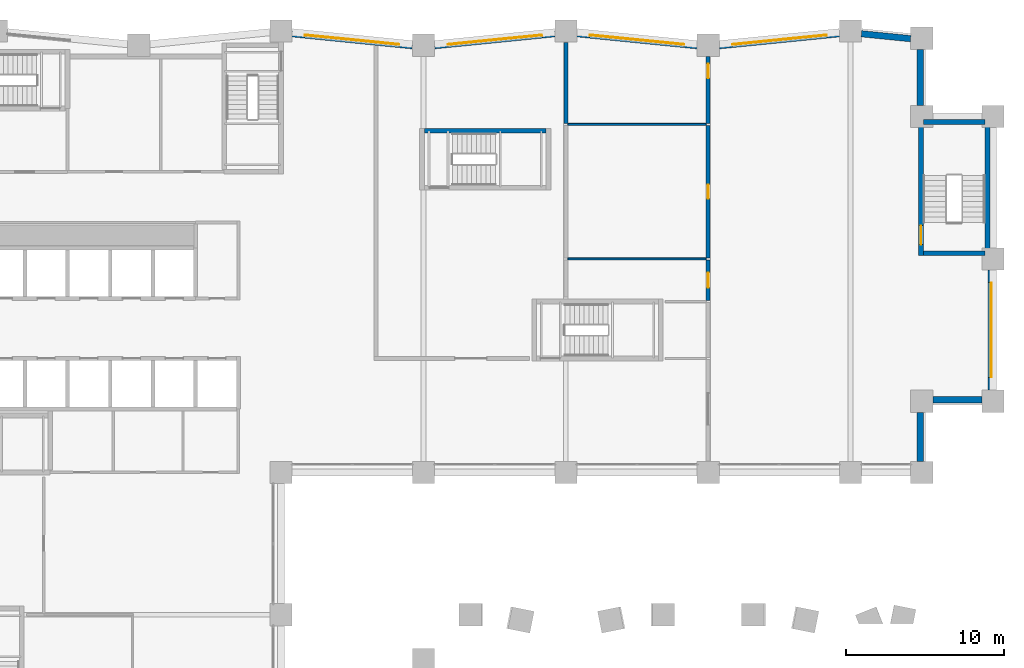
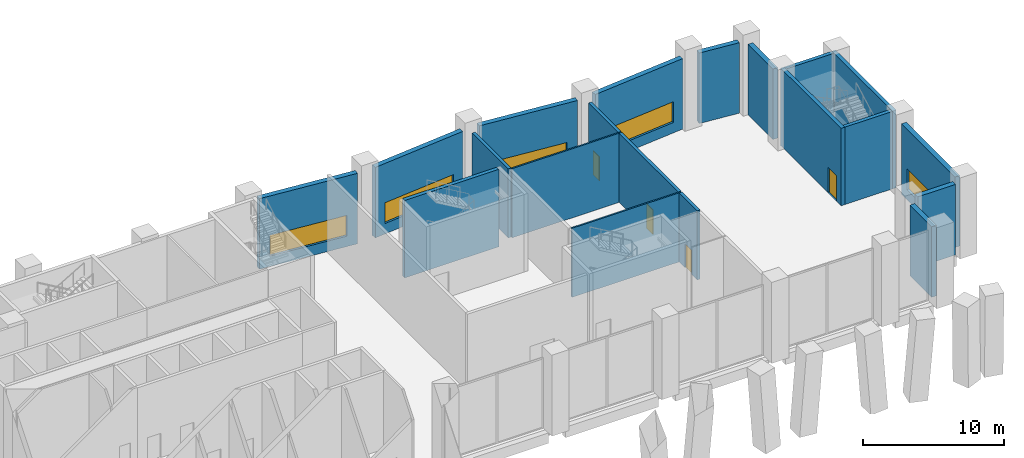
# One storey, part 13 of 18: 20 walls, 5 windows, 4 doors, 9 openings.
"""IFC4 building model written with IfcOpenShell, lengths in metres."""

from ifc_helpers import new_model, si_unit, direction, frame, frame_2d, origin, place, context, subcontext, project, spatial, rectangle, extrude, material, layer, layer_set, type_object, element, fill, save


model = new_model("IFC4")

# Units and contexts
model_context = context("Model", 3, precision=1e-05, world=origin(), true_north=direction((0.0, 1.0)))
body_context = subcontext(model_context, "Body", "Model", "MODEL_VIEW")
ifc_project = project(units=[si_unit("LENGTHUNIT", "METRE"), si_unit("AREAUNIT", "SQUARE_METRE"), si_unit("VOLUMEUNIT", "CUBIC_METRE"), si_unit("PLANEANGLEUNIT", "RADIAN"), si_unit("MASSUNIT", "GRAM", prefix="KILO")], contexts=[model_context])

# Site, building, storey
site_placement = place(None, origin())
site = spatial("IfcSite", under=ifc_project, at=site_placement, CompositionType="ELEMENT")
building_placement = place(site_placement, origin())
building = spatial("IfcBuilding", under=site, at=building_placement, Name="Brondeck Convention Tower", CompositionType="ELEMENT")
storey_placement = place(building_placement, frame((0.0, 0.0, 7.5)))
storey = spatial("IfcBuildingStorey", under=building, at=storey_placement, Name="L01", CompositionType="ELEMENT", Elevation=7.5)

# Walls
ifc_material_1 = material(Name="Limestone", Category="masonry")
ifc_layer_1 = layer(ifc_material_1, 0.10009765625, Name="Limestone facing")
ifc_material_2 = material(Name="Mineral wool")
ifc_layer_2 = layer(ifc_material_2, 0.159912109375, Name="Insulation")
ifc_material_3 = material(Name="Concrete C35/45", Category="concrete")
ifc_layer_3 = layer(ifc_material_3, 0.139892578125, Name="Backing")
ifc_layer_set_1 = layer_set([ifc_layer_1, ifc_layer_2, ifc_layer_3], Name="External wall, limestone cladding")
wall_type_1 = type_object("IfcWallType", Name="External wall, limestone cladding", PredefinedType="SOLIDWALL", material=ifc_layer_set_1)
for number, where, z_axis, x_axis, name in (
    (1, (67.39990234375, 39.800048828125, 0.0), (0.0, 0.0, 1.0), (0.0, -1.0, 0.0), "ENV-EW-L01-BASE-NC-SEA-01"),
    (2, (71.300048828125, 40.60009765625, 0.0), (0.0, 0.0, 1.0), (-1.0, 0.0, 0.0), "ENV-EW-L01-BASE-NC-SEA-02"),
):
    element("IfcWall", number, at=place(storey_placement, frame(where, z_axis=z_axis, x_axis=x_axis)), inside=storey, type_object=wall_type_1, Name=name, PredefinedType="SOLIDWALL", context=body_context, shape_type="SweptSolid", body=[
        extrude(rectangle(XDim=3.10009765625, YDim=0.39990234375, at=frame_2d((1.550048828125, 0.0))), origin(), (0.0, 0.0, 1.0), 6.10009765625),
    ])

# Wall, opening, window
wall_1_placement = place(storey_placement, frame((71.89990234375, 48.800048828125, 0.0), z_axis=(0.0, 0.0, 1.0), x_axis=(0.0, -1.0, 0.0)))
wall_1 = element("IfcWall", 3, at=wall_1_placement, inside=storey, type_object=wall_type_1, Name="ENV-EW-L01-BASE-A-E-02", PredefinedType="SOLIDWALL", context=body_context, shape_type="SweptSolid", body=[
    extrude(rectangle(XDim=7.60009765625, YDim=0.39990234375, at=frame_2d((3.800048828125, 0.0))), origin(), (0.0, 0.0, 1.0), 6.10009765625),
])
opening_1_placement = place(wall_1_placement, frame((0.800048828125, 0.0, 0.89990234375)))
opening_1 = element("IfcOpeningElement", 4, at=opening_1_placement, cuts=wall_1, Name="Opening W4", PredefinedType="OPENING", context=body_context, shape_type="SweptSolid", body=[
    extrude(rectangle(XDim=6.0, YDim=1.800048828125, at=frame_2d((3.0, 0.89990234375))), frame((0.0, 0.2099609375, 0.0), z_axis=(0.0, -1.0, 0.0), x_axis=(1.0, 0.0, 0.0)), (0.0, 0.0, 1.0), 0.419921875),
])
ifc_material_4 = material(Name="Bronze tinted double glazing", Category="glass")
window_type = type_object("IfcWindowType", Name="Podium ribbon window, bronze tinted", PartitioningType="SINGLE_PANEL", PredefinedType="WINDOW", material=ifc_material_4)
window_1_placement = place(opening_1_placement, origin())
window_1 = element("IfcWindow", 5, at=window_1_placement, inside=storey, type_object=window_type, Name="ENV-WN-L01-BASE-A-E-02", OverallHeight=1.800048828125, OverallWidth=6.0, PartitioningType="SINGLE_PANEL", PredefinedType="WINDOW", context=body_context, shape_type="SweptSolid", body=[
    extrude(rectangle(XDim=6.0, YDim=1.800048828125, at=frame_2d((3.0, 0.89990234375))), frame((0.0, 0.030029296875, 0.0), z_axis=(0.0, -1.0, 0.0), x_axis=(1.0, 0.0, 0.0)), (0.0, 0.0, 1.0), 0.06005859375),
])
fill(opening_1, window_1)

# Walls
wall_2_placement = place(storey_placement, frame((67.39990234375, 62.75, 0.0), z_axis=(0.0, 0.0, 1.0), x_axis=(0.0, -1.0, 0.0)))
element("IfcWall", 6, at=wall_2_placement, inside=storey, type_object=wall_type_1, Name="ENV-EW-L01-BASE-NC-NEA-02", PredefinedType="SOLIDWALL", context=body_context, shape_type="SweptSolid", body=[
    extrude(rectangle(XDim=3.550048828125, YDim=0.39990234375, at=frame_2d((1.77490234375, 0.0))), origin(), (0.0, 0.0, 1.0), 6.10009765625),
])
wall_3_placement = place(storey_placement, frame((63.6865234375, 63.730712890625, 0.0), z_axis=(0.0, 0.0, 1.0), x_axis=(0.995041834057, -0.099457269599, 0.0)))
element("IfcWall", 7, at=wall_3_placement, inside=storey, type_object=wall_type_1, Name="ENV-EW-L01-BASE-A-N-14", PredefinedType="SOLIDWALL", context=body_context, shape_type="SweptSolid", body=[
    extrude(rectangle(XDim=3.122314453125, YDim=0.39990234375, at=frame_2d((1.56103515625, 0.0))), origin(), (0.0, 0.0, 1.0), 6.10009765625),
])

# Wall, opening, window
wall_4_placement = place(storey_placement, frame((54.70654296875, 62.97021484375, 0.0), z_axis=(0.0, 0.0, 1.0), x_axis=(0.995039719416, 0.099478423711, 0.0)))
wall_4 = element("IfcWall", 8, at=wall_4_placement, inside=storey, type_object=wall_type_1, Name="ENV-EW-L01-BASE-A-N-13", PredefinedType="SOLIDWALL", context=body_context, shape_type="SweptSolid", body=[
    extrude(rectangle(XDim=7.644775390625, YDim=0.39990234375, at=frame_2d((3.822265625, 0.0))), origin(), (0.0, 0.0, 1.0), 6.10009765625),
])
opening_2_placement = place(wall_4_placement, frame((0.822509765625, 0.0, 0.89990234375)))
opening_2 = element("IfcOpeningElement", 9, at=opening_2_placement, cuts=wall_4, Name="Opening W4", PredefinedType="OPENING", context=body_context, shape_type="SweptSolid", body=[
    extrude(rectangle(XDim=6.0, YDim=1.800048828125, at=frame_2d((3.0, 0.89990234375))), frame((0.0, 0.2099609375, 0.0), z_axis=(0.0, -1.0, 0.0), x_axis=(1.0, 0.0, 0.0)), (0.0, 0.0, 1.0), 0.419921875),
])
window_2_placement = place(opening_2_placement, origin())
window_2 = element("IfcWindow", 10, at=window_2_placement, inside=storey, type_object=window_type, Name="ENV-WN-L01-BASE-A-N-13", OverallHeight=1.800048828125, OverallWidth=6.0, PartitioningType="SINGLE_PANEL", PredefinedType="WINDOW", context=body_context, shape_type="SweptSolid", body=[
    extrude(rectangle(XDim=6.0, YDim=1.800048828125, at=frame_2d((3.0, 0.89990234375))), frame((0.0, 0.030029296875, 0.0), z_axis=(0.0, -1.0, 0.0), x_axis=(1.0, 0.0, 0.0)), (0.0, 0.0, 1.0), 0.06005859375),
])
fill(opening_2, window_2)

wall_5_placement = place(storey_placement, frame((45.6865234375, 63.730712890625, 0.0), z_axis=(0.0, 0.0, 1.0), x_axis=(0.995039719416, -0.099478423711, 0.0)))
wall_5 = element("IfcWall", 11, at=wall_5_placement, inside=storey, type_object=wall_type_1, Name="ENV-EW-L01-BASE-A-N-11", PredefinedType="SOLIDWALL", context=body_context, shape_type="SweptSolid", body=[
    extrude(rectangle(XDim=7.644775390625, YDim=0.39990234375, at=frame_2d((3.822265625, 0.0))), origin(), (0.0, 0.0, 1.0), 6.10009765625),
])
opening_3_placement = place(wall_5_placement, frame((0.822509765625, 0.0, 0.89990234375)))
opening_3 = element("IfcOpeningElement", 12, at=opening_3_placement, cuts=wall_5, Name="Opening W4", PredefinedType="OPENING", context=body_context, shape_type="SweptSolid", body=[
    extrude(rectangle(XDim=6.0, YDim=1.800048828125, at=frame_2d((3.0, 0.89990234375))), frame((0.0, 0.2099609375, 0.0), z_axis=(0.0, -1.0, 0.0), x_axis=(1.0, 0.0, 0.0)), (0.0, 0.0, 1.0), 0.419921875),
])
window_3_placement = place(opening_3_placement, origin())
window_3 = element("IfcWindow", 13, at=window_3_placement, inside=storey, type_object=window_type, Name="ENV-WN-L01-BASE-A-N-11", OverallHeight=1.800048828125, OverallWidth=6.0, PartitioningType="SINGLE_PANEL", PredefinedType="WINDOW", context=body_context, shape_type="SweptSolid", body=[
    extrude(rectangle(XDim=6.0, YDim=1.800048828125, at=frame_2d((3.0, 0.89990234375))), frame((0.0, 0.030029296875, 0.0), z_axis=(0.0, -1.0, 0.0), x_axis=(1.0, 0.0, 0.0)), (0.0, 0.0, 1.0), 0.06005859375),
])
fill(opening_3, window_3)

wall_6_placement = place(storey_placement, frame((36.70654296875, 62.97021484375, 0.0), z_axis=(0.0, 0.0, 1.0), x_axis=(0.995039719416, 0.099478423711, 0.0)))
wall_6 = element("IfcWall", 14, at=wall_6_placement, inside=storey, type_object=wall_type_1, Name="ENV-EW-L01-BASE-A-N-09", PredefinedType="SOLIDWALL", context=body_context, shape_type="SweptSolid", body=[
    extrude(rectangle(XDim=7.644775390625, YDim=0.39990234375, at=frame_2d((3.822265625, 0.0))), origin(), (0.0, 0.0, 1.0), 6.10009765625),
])
opening_4_placement = place(wall_6_placement, frame((0.822509765625, 0.0, 0.89990234375)))
opening_4 = element("IfcOpeningElement", 15, at=opening_4_placement, cuts=wall_6, Name="Opening W4", PredefinedType="OPENING", context=body_context, shape_type="SweptSolid", body=[
    extrude(rectangle(XDim=6.0, YDim=1.800048828125, at=frame_2d((3.0, 0.89990234375))), frame((0.0, 0.2099609375, 0.0), z_axis=(0.0, -1.0, 0.0), x_axis=(1.0, 0.0, 0.0)), (0.0, 0.0, 1.0), 0.419921875),
])
window_4_placement = place(opening_4_placement, origin())
window_4 = element("IfcWindow", 16, at=window_4_placement, inside=storey, type_object=window_type, Name="ENV-WN-L01-BASE-A-N-09", OverallHeight=1.800048828125, OverallWidth=6.0, PartitioningType="SINGLE_PANEL", PredefinedType="WINDOW", context=body_context, shape_type="SweptSolid", body=[
    extrude(rectangle(XDim=6.0, YDim=1.800048828125, at=frame_2d((3.0, 0.89990234375))), frame((0.0, 0.030029296875, 0.0), z_axis=(0.0, -1.0, 0.0), x_axis=(1.0, 0.0, 0.0)), (0.0, 0.0, 1.0), 0.06005859375),
])
fill(opening_4, window_4)

wall_7_placement = place(storey_placement, frame((27.6865234375, 63.730712890625, 0.0), z_axis=(0.0, 0.0, 1.0), x_axis=(0.995039719416, -0.099478423711, 0.0)))
wall_7 = element("IfcWall", 17, at=wall_7_placement, inside=storey, type_object=wall_type_1, Name="ENV-EW-L01-BASE-A-N-07", PredefinedType="SOLIDWALL", context=body_context, shape_type="SweptSolid", body=[
    extrude(rectangle(XDim=7.644775390625, YDim=0.39990234375, at=frame_2d((3.822265625, 0.0))), origin(), (0.0, 0.0, 1.0), 6.10009765625),
])
opening_5_placement = place(wall_7_placement, frame((0.822509765625, 0.0, 0.89990234375)))
opening_5 = element("IfcOpeningElement", 18, at=opening_5_placement, cuts=wall_7, Name="Opening W4", PredefinedType="OPENING", context=body_context, shape_type="SweptSolid", body=[
    extrude(rectangle(XDim=6.0, YDim=1.800048828125, at=frame_2d((3.0, 0.89990234375))), frame((0.0, 0.2099609375, 0.0), z_axis=(0.0, -1.0, 0.0), x_axis=(1.0, 0.0, 0.0)), (0.0, 0.0, 1.0), 0.419921875),
])
window_5_placement = place(opening_5_placement, origin())
window_5 = element("IfcWindow", 19, at=window_5_placement, inside=storey, type_object=window_type, Name="ENV-WN-L01-BASE-A-N-07", OverallHeight=1.800048828125, OverallWidth=6.0, PartitioningType="SINGLE_PANEL", PredefinedType="WINDOW", context=body_context, shape_type="SweptSolid", body=[
    extrude(rectangle(XDim=6.0, YDim=1.800048828125, at=frame_2d((3.0, 0.89990234375))), frame((0.0, 0.030029296875, 0.0), z_axis=(0.0, -1.0, 0.0), x_axis=(1.0, 0.0, 0.0)), (0.0, 0.0, 1.0), 0.06005859375),
])
fill(opening_5, window_5)

# Wall, opening, door
ifc_material_5 = material(Name="Reinforced masonry fire wall", Category="masonry")
ifc_layer_4 = layer(ifc_material_5, 0.25)
ifc_layer_set_2 = layer_set([ifc_layer_4], Name="Fire wall 250")
wall_type_2 = type_object("IfcWallType", Name="Fire wall 250", PredefinedType="PARTITIONING", material=ifc_layer_set_2)
wall_8_placement = place(storey_placement, frame((54.0, 46.862548828125, 0.0), z_axis=(0.0, 0.0, 1.0), x_axis=(0.0, 1.0, 0.0)))
wall_8 = element("IfcWall", 20, at=wall_8_placement, inside=storey, type_object=wall_type_2, Name="FLR-L01-W015", PredefinedType="PARTITIONING", context=body_context, shape_type="SweptSolid", body=[
    extrude(rectangle(XDim=2.574951171875, YDim=0.25, at=frame_2d((1.28759765625, 0.0))), origin(), (0.0, 0.0, 1.0), 5.97998046875),
])
opening_6_placement = place(wall_8_placement, frame((0.8125, 0.0, 0.0)))
opening_6 = element("IfcOpeningElement", 21, at=opening_6_placement, cuts=wall_8, Name="Opening P-L01-001", PredefinedType="OPENING", context=body_context, shape_type="SweptSolid", body=[
    extrude(rectangle(XDim=0.949951171875, YDim=2.10009765625, at=frame_2d((0.47509765625, 1.050048828125))), frame((0.0, 0.135009765625, 0.0), z_axis=(0.0, -1.0, 0.0), x_axis=(1.0, 0.0, 0.0)), (0.0, 0.0, 1.0), 0.27001953125),
])
ifc_material_6 = material(Name="Solid timber door leaf", Category="wood")
door_type_1 = type_object("IfcDoorType", Name="Accessible door 950", OperationType="NOTDEFINED", PredefinedType="DOOR", material=ifc_material_6)
door_1_placement = place(opening_6_placement, origin())
door_1 = element("IfcDoor", 22, at=door_1_placement, inside=storey, type_object=door_type_1, Name="Door P-L01-001", OperationType="SINGLE_SWING_RIGHT", OverallHeight=2.10009765625, OverallWidth=0.949951171875, PredefinedType="DOOR", context=body_context, shape_type="SweptSolid", body=[
    extrude(rectangle(XDim=0.949951171875, YDim=2.10009765625, at=frame_2d((0.47509765625, 1.050048828125))), frame((0.0, 0.02490234375, 0.0), z_axis=(0.0, -1.0, 0.0), x_axis=(1.0, 0.0, 0.0)), (0.0, 0.0, 1.0), 0.050048828125),
])
fill(opening_6, door_1)

wall_9_placement = place(storey_placement, frame((54.0, 49.5625, 0.0), z_axis=(0.0, 0.0, 1.0), x_axis=(0.0, 1.0, 0.0)))
wall_9 = element("IfcWall", 23, at=wall_9_placement, inside=storey, type_object=wall_type_2, Name="FLR-L01-W018", PredefinedType="PARTITIONING", context=body_context, shape_type="SweptSolid", body=[
    extrude(rectangle(XDim=8.375, YDim=0.25, at=frame_2d((4.1875, 0.0))), origin(), (0.0, 0.0, 1.0), 5.97998046875),
])
opening_7_placement = place(wall_9_placement, frame((3.737548828125, 0.0, 0.0)))
opening_7 = element("IfcOpeningElement", 24, at=opening_7_placement, cuts=wall_9, Name="Opening P-L01-002", PredefinedType="OPENING", context=body_context, shape_type="SweptSolid", body=[
    extrude(rectangle(XDim=0.89990234375, YDim=2.10009765625, at=frame_2d((0.449951171875, 1.050048828125))), frame((0.0, 0.135009765625, 0.0), z_axis=(0.0, -1.0, 0.0), x_axis=(1.0, 0.0, 0.0)), (0.0, 0.0, 1.0), 0.27001953125),
])
door_type_2 = type_object("IfcDoorType", Name="Single door 900", OperationType="NOTDEFINED", PredefinedType="DOOR", material=ifc_material_6)
door_2_placement = place(opening_7_placement, origin())
door_2 = element("IfcDoor", 25, at=door_2_placement, inside=storey, type_object=door_type_2, Name="Door P-L01-002", OperationType="SINGLE_SWING_RIGHT", OverallHeight=2.10009765625, OverallWidth=0.89990234375, PredefinedType="DOOR", context=body_context, shape_type="SweptSolid", body=[
    extrude(rectangle(XDim=0.89990234375, YDim=2.10009765625, at=frame_2d((0.449951171875, 1.050048828125))), frame((0.0, 0.02490234375, 0.0), z_axis=(0.0, -1.0, 0.0), x_axis=(1.0, 0.0, 0.0)), (0.0, 0.0, 1.0), 0.050048828125),
])
fill(opening_7, door_2)

wall_10_placement = place(storey_placement, frame((54.0, 58.0625, 0.0), z_axis=(0.0, 0.0, 1.0), x_axis=(0.0, 1.0, 0.0)))
wall_10 = element("IfcWall", 26, at=wall_10_placement, inside=storey, type_object=wall_type_2, Name="FLR-L01-W021", PredefinedType="PARTITIONING", context=body_context, shape_type="SweptSolid", body=[
    extrude(rectangle(XDim=4.217529296875, YDim=0.25, at=frame_2d((2.10888671875, 0.0))), origin(), (0.0, 0.0, 1.0), 5.97998046875),
])
opening_8_placement = place(wall_10_placement, frame((2.862548828125, 0.0, 0.0)))
opening_8 = element("IfcOpeningElement", 27, at=opening_8_placement, cuts=wall_10, Name="Opening P-L01-003", PredefinedType="OPENING", context=body_context, shape_type="SweptSolid", body=[
    extrude(rectangle(XDim=0.89990234375, YDim=2.10009765625, at=frame_2d((0.449951171875, 1.050048828125))), frame((0.0, 0.135009765625, 0.0), z_axis=(0.0, -1.0, 0.0), x_axis=(1.0, 0.0, 0.0)), (0.0, 0.0, 1.0), 0.27001953125),
])
door_3_placement = place(opening_8_placement, origin())
door_3 = element("IfcDoor", 28, at=door_3_placement, inside=storey, type_object=door_type_2, Name="Door P-L01-003", OperationType="SINGLE_SWING_RIGHT", OverallHeight=2.10009765625, OverallWidth=0.89990234375, PredefinedType="DOOR", context=body_context, shape_type="SweptSolid", body=[
    extrude(rectangle(XDim=0.89990234375, YDim=2.10009765625, at=frame_2d((0.449951171875, 1.050048828125))), frame((0.0, 0.02490234375, 0.0), z_axis=(0.0, -1.0, 0.0), x_axis=(1.0, 0.0, 0.0)), (0.0, 0.0, 1.0), 0.050048828125),
])
fill(opening_8, door_3)

# Walls
wall_11_placement = place(storey_placement, frame((45.0, 63.179931640625, 0.0), z_axis=(0.0, 0.0, 1.0), x_axis=(0.0, -1.0, 0.0)))
element("IfcWall", 29, at=wall_11_placement, inside=storey, type_object=wall_type_2, Name="FLR-L01-W023", PredefinedType="PARTITIONING", context=body_context, shape_type="SweptSolid", body=[
    extrude(rectangle(XDim=5.117431640625, YDim=0.25, at=frame_2d((2.55859375, 0.0))), origin(), (0.0, 0.0, 1.0), 5.97998046875),
])
ifc_material_7 = material(Name="Gypsum board shaft wall on steel studs", Category="steel")
ifc_layer_5 = layer(ifc_material_7, 0.125)
ifc_layer_set_3 = layer_set([ifc_layer_5], Name="Riser wall 125")
wall_type_3 = type_object("IfcWallType", Name="Riser wall 125", PredefinedType="PARTITIONING", material=ifc_layer_set_3)
for number, where, z_axis, x_axis, name in (
    (30, (45.125, 49.5, 0.0), (0.0, 0.0, 1.0), (1.0, 0.0, 0.0), "FLR-L01-W017"),
    (31, (45.125, 58.0, 0.0), (0.0, 0.0, 1.0), (1.0, 0.0, 0.0), "FLR-L01-W020"),
):
    element("IfcWall", number, at=place(storey_placement, frame(where, z_axis=z_axis, x_axis=x_axis)), inside=storey, type_object=wall_type_3, Name=name, PredefinedType="PARTITIONING", context=body_context, shape_type="SweptSolid", body=[
        extrude(rectangle(XDim=8.75, YDim=0.125, at=frame_2d((4.375, 0.0))), origin(), (0.0, 0.0, 1.0), 5.97998046875),
    ])
ifc_material_8 = material(Name="Concrete C80/95", Category="concrete")
ifc_layer_6 = layer(ifc_material_8, 0.300048828125)
ifc_layer_set_4 = layer_set([ifc_layer_6], Name="Stair enclosure wall 300 Concrete C80/95")
wall_type_4 = type_object("IfcWallType", Name="Stair enclosure wall 300 Concrete C80/95", PredefinedType="SHEAR", material=ifc_layer_set_4)
wall_12_placement = place(storey_placement, frame((67.60009765625, 49.85009765625, 0.0), z_axis=(0.0, 0.0, 1.0), x_axis=(1.0, 0.0, 0.0)))
element("IfcWall", 32, at=wall_12_placement, inside=storey, type_object=wall_type_4, Name="L01 core wall", PredefinedType="SHEAR", context=body_context, shape_type="SweptSolid", body=[
    extrude(rectangle(XDim=3.89990234375, YDim=0.300048828125, at=frame_2d((1.949951171875, 0.0))), origin(), (0.0, 0.0, 1.0), 6.699951171875),
])
wall_13_placement = place(storey_placement, frame((36.050048828125, 57.60009765625, 0.0), z_axis=(0.0, 0.0, 1.0), x_axis=(1.0, 0.0, 0.0)))
element("IfcWall", 33, at=wall_13_placement, inside=storey, type_object=wall_type_4, Name="L01 core wall", PredefinedType="SHEAR", context=body_context, shape_type="SweptSolid", body=[
    extrude(rectangle(XDim=7.699951171875, YDim=0.300048828125, at=frame_2d((3.85009765625, 0.0))), origin(), (0.0, 0.0, 1.0), 6.699951171875),
])
wall_14_placement = place(storey_placement, frame((67.60009765625, 58.14990234375, 0.0), z_axis=(0.0, 0.0, 1.0), x_axis=(1.0, 0.0, 0.0)))
element("IfcWall", 34, at=wall_14_placement, inside=storey, type_object=wall_type_4, Name="L01 core wall", PredefinedType="SHEAR", context=body_context, shape_type="SweptSolid", body=[
    extrude(rectangle(XDim=3.89990234375, YDim=0.300048828125, at=frame_2d((1.949951171875, 0.0))), origin(), (0.0, 0.0, 1.0), 6.699951171875),
])

# Wall, opening, door
wall_15_placement = place(storey_placement, frame((67.449951171875, 49.699951171875, 0.0), z_axis=(0.0, 0.0, 1.0), x_axis=(0.0, 1.0, 0.0)))
wall_15 = element("IfcWall", 35, at=wall_15_placement, inside=storey, type_object=wall_type_4, Name="L01 core wall", PredefinedType="SHEAR", context=body_context, shape_type="SweptSolid", body=[
    extrude(rectangle(XDim=8.60009765625, YDim=0.300048828125, at=frame_2d((4.300048828125, 0.0))), origin(), (0.0, 0.0, 1.0), 6.699951171875),
])
opening_9_placement = place(wall_15_placement, frame((0.699951171875, 0.0, 0.0)))
opening_9 = element("IfcOpeningElement", 36, at=opening_9_placement, cuts=wall_15, Name="Opening C03-13", PredefinedType="OPENING", context=body_context, shape_type="SweptSolid", body=[
    extrude(rectangle(XDim=1.199951171875, YDim=2.199951171875, at=frame_2d((0.60009765625, 1.10009765625))), frame((0.0, 0.159912109375, 0.0), z_axis=(0.0, -1.0, 0.0), x_axis=(1.0, 0.0, 0.0)), (0.0, 0.0, 1.0), 0.320068359375),
])
ifc_material_9 = material(Name="Steel fire door", Category="steel")
door_type_3 = type_object("IfcDoorType", Name="Stair door 1200x2200 EI 90", OperationType="NOTDEFINED", PredefinedType="DOOR", material=ifc_material_9)
door_4_placement = place(opening_9_placement, origin())
door_4 = element("IfcDoor", 37, at=door_4_placement, inside=storey, type_object=door_type_3, Name="L01 Stair door PS-1", OperationType="SINGLE_SWING_RIGHT", OverallHeight=2.199951171875, OverallWidth=1.199951171875, PredefinedType="DOOR", context=body_context, shape_type="SweptSolid", body=[
    extrude(rectangle(XDim=1.199951171875, YDim=2.199951171875, at=frame_2d((0.60009765625, 1.10009765625))), frame((0.0, 0.02490234375, 0.0), z_axis=(0.0, -1.0, 0.0), x_axis=(1.0, 0.0, 0.0)), (0.0, 0.0, 1.0), 0.050048828125),
])
fill(opening_9, door_4)

# Wall
wall_16_placement = place(storey_placement, frame((71.64990234375, 49.699951171875, 0.0), z_axis=(0.0, 0.0, 1.0), x_axis=(0.0, 1.0, 0.0)))
element("IfcWall", 38, at=wall_16_placement, inside=storey, type_object=wall_type_4, Name="L01 core wall", PredefinedType="SHEAR", context=body_context, shape_type="SweptSolid", body=[
    extrude(rectangle(XDim=8.60009765625, YDim=0.300048828125, at=frame_2d((4.300048828125, 0.0))), origin(), (0.0, 0.0, 1.0), 6.699951171875),
])

save(model, "model.ifc")
